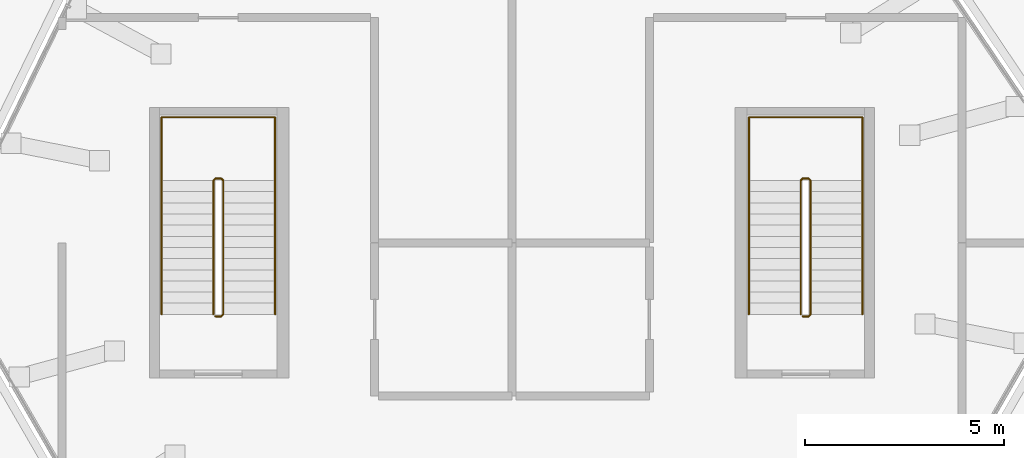
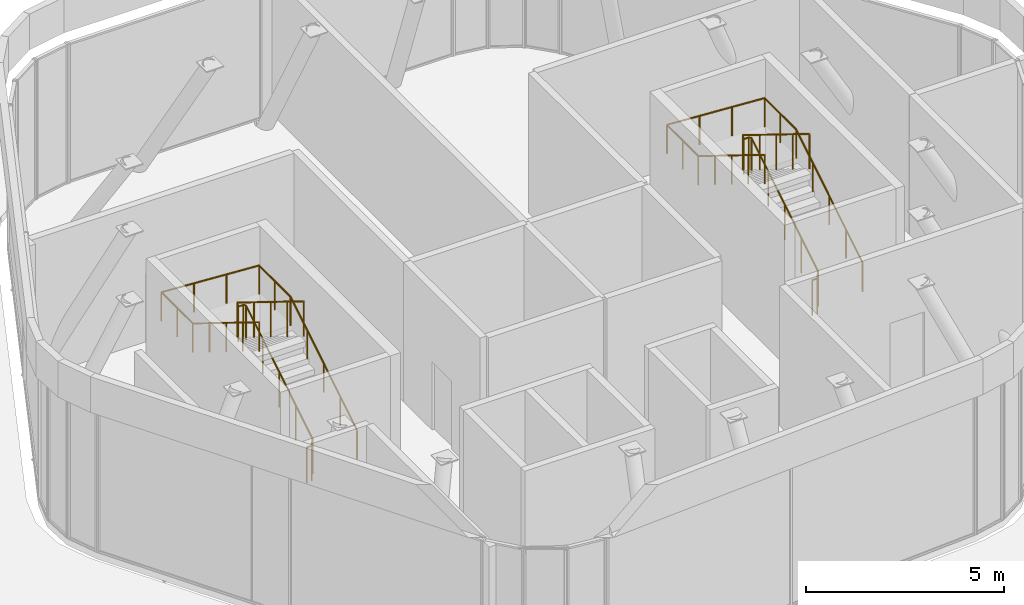
# One storey, part 9 of 9: 4 railings.
"""IFC4 building model written with IfcOpenShell, lengths in metres."""

from ifc_helpers import new_model, si_unit, direction, frame, origin, origin_2d, place, context, subcontext, project, spatial, circle, extrude, material, type_object, element, save


model = new_model("IFC4")

# Units and contexts
model_context = context("Model", 3, precision=1e-05, world=origin(), true_north=direction((0.0, 1.0)))
body_context = subcontext(model_context, "Body", "Model", "MODEL_VIEW")
ifc_project = project(units=[si_unit("LENGTHUNIT", "METRE"), si_unit("AREAUNIT", "SQUARE_METRE"), si_unit("VOLUMEUNIT", "CUBIC_METRE"), si_unit("PLANEANGLEUNIT", "RADIAN"), si_unit("MASSUNIT", "GRAM", prefix="KILO")], contexts=[model_context])

# Site, building, storey
site_placement = place(None, origin())
site = spatial("IfcSite", under=ifc_project, at=site_placement, CompositionType="ELEMENT")
building_placement = place(site_placement, origin())
building = spatial("IfcBuilding", under=site, at=building_placement, Name="Tarnside Tower", CompositionType="ELEMENT")
storey_placement = place(building_placement, frame((0.0, 0.0, 401.699951171875)))
storey = spatial("IfcBuildingStorey", under=building, at=storey_placement, Name="L95", CompositionType="ELEMENT", Elevation=401.699951171875)

# Railings
ifc_material = material(Name="Stainless steel", Category="steel")
railing_type_1 = type_object("IfcRailingType", Name="Stair guard 1100", PredefinedType="GUARDRAIL", material=ifc_material)
railing_1_placement = place(storey_placement, frame((7.300048828125, -1.85009765625, 0.0)))
element("IfcRailing", 1, at=railing_1_placement, inside=storey, type_object=railing_type_1, Name="L95 ST1 stair guard 1", PredefinedType="GUARDRAIL", context=body_context, shape_type="SweptSolid", body=[
    extrude(circle(Radius=0.02392578125, at=origin_2d()), frame((0.0, 0.0, 1.076171875), z_axis=(1.0, 0.0, 0.0), x_axis=(0.0, 1.0, 0.0)), (0.0, 0.0, 1.0), 0.14990234375),
    extrude(circle(Radius=0.02392578125, at=origin_2d()), frame((0.14990234375, 0.0, 1.076171875), z_axis=(0.267629722418, 0.267629722418, 0.925607186314), x_axis=(-0.707106781187, 0.707106781187, 0.0)), (0.0, 0.0, 1.0), 0.18701171875),
    extrude(circle(Radius=0.02392578125, at=origin_2d()), frame((0.199951171875, 0.050048828125, 1.2490234375), z_axis=(0.0, 0.850623216509, 0.525775754039), x_axis=(-1.0, 0.0, 0.0)), (0.0, 0.0, 1.0), 3.9501953125),
    extrude(circle(Radius=0.02392578125, at=origin_2d()), frame((0.199951171875, 3.41015625, 3.326171875), z_axis=(-0.707106781187, 0.707106781187, 0.0), x_axis=(-0.707106781187, -0.707106781187, 0.0)), (0.0, 0.0, 1.0), 0.07080078125),
    extrude(circle(Radius=0.02392578125, at=origin_2d()), frame((0.14990234375, 3.460205078125, 3.326171875), z_axis=(-1.0, 0.0, 0.0), x_axis=(0.0, -1.0, 0.0)), (0.0, 0.0, 1.0), 0.14990234375),
    extrude(circle(Radius=0.02392578125, at=origin_2d()), frame((0.0, 3.460205078125, 3.326171875), z_axis=(-0.267629722418, -0.267629722418, 0.925607186314), x_axis=(0.707106781187, -0.707106781187, 0.0)), (0.0, 0.0, 1.0), 0.18701171875),
    extrude(circle(Radius=0.02392578125, at=origin_2d()), frame((-0.050048828125, 3.41015625, 3.4990234375), z_axis=(0.0, -0.850623216509, 0.525775754039), x_axis=(1.0, 0.0, 0.0)), (0.0, 0.0, 1.0), 3.9501953125),
    extrude(circle(Radius=0.02099609375, at=origin_2d()), origin(), (0.0, 0.0, 1.0), 1.052001953125),
    extrude(circle(Radius=0.02099609375, at=origin_2d()), frame((0.14990234375, 0.0, 0.0)), (0.0, 0.0, 1.0), 1.052001953125),
    extrude(circle(Radius=0.02099609375, at=origin_2d()), frame((0.199951171875, 0.050048828125, 0.173095703125)), (0.0, 0.0, 1.0), 1.052001953125),
    extrude(circle(Radius=0.02099609375, at=origin_2d()), frame((0.199951171875, 0.89013671875, 0.6923828125)), (0.0, 0.0, 1.0), 1.052001953125),
    extrude(circle(Radius=0.02099609375, at=origin_2d()), frame((0.199951171875, 1.72998046875, 1.21142578125)), (0.0, 0.0, 1.0), 1.052001953125),
    extrude(circle(Radius=0.02099609375, at=origin_2d()), frame((0.199951171875, 2.570068359375, 1.730712890625)), (0.0, 0.0, 1.0), 1.052001953125),
    extrude(circle(Radius=0.02099609375, at=origin_2d()), frame((0.199951171875, 3.41015625, 2.25)), (0.0, 0.0, 1.0), 1.052001953125),
    extrude(circle(Radius=0.02099609375, at=origin_2d()), frame((0.14990234375, 3.460205078125, 2.25)), (0.0, 0.0, 1.0), 1.052001953125),
    extrude(circle(Radius=0.02099609375, at=origin_2d()), frame((0.0, 3.460205078125, 2.25)), (0.0, 0.0, 1.0), 1.052001953125),
    extrude(circle(Radius=0.02099609375, at=origin_2d()), frame((-0.050048828125, 3.41015625, 2.423095703125)), (0.0, 0.0, 1.0), 1.052001953125),
    extrude(circle(Radius=0.02099609375, at=origin_2d()), frame((-0.050048828125, 2.570068359375, 2.9423828125)), (0.0, 0.0, 1.0), 1.052001953125),
    extrude(circle(Radius=0.02099609375, at=origin_2d()), frame((-0.050048828125, 1.72998046875, 3.46142578125)), (0.0, 0.0, 1.0), 1.052001953125),
    extrude(circle(Radius=0.02099609375, at=origin_2d()), frame((-0.050048828125, 0.89013671875, 3.980712890625)), (0.0, 0.0, 1.0), 1.052001953125),
    extrude(circle(Radius=0.02099609375, at=origin_2d()), frame((-0.050048828125, 0.050048828125, 4.5)), (0.0, 0.0, 1.0), 1.052001953125),
])
railing_2_placement = place(storey_placement, frame((-7.449951171875, -1.85009765625, 0.0)))
element("IfcRailing", 2, at=railing_2_placement, inside=storey, type_object=railing_type_1, Name="L95 ST2 stair guard 1", PredefinedType="GUARDRAIL", context=body_context, shape_type="SweptSolid", body=[
    extrude(circle(Radius=0.02392578125, at=origin_2d()), frame((0.0, 0.0, 1.076171875), z_axis=(1.0, 0.0, 0.0), x_axis=(0.0, 1.0, 0.0)), (0.0, 0.0, 1.0), 0.14990234375),
    extrude(circle(Radius=0.02392578125, at=origin_2d()), frame((0.14990234375, 0.0, 1.076171875), z_axis=(0.267629722418, 0.267629722418, 0.925607186314), x_axis=(-0.707106781187, 0.707106781187, 0.0)), (0.0, 0.0, 1.0), 0.18701171875),
    extrude(circle(Radius=0.02392578125, at=origin_2d()), frame((0.199951171875, 0.050048828125, 1.2490234375), z_axis=(0.0, 0.850623216509, 0.525775754039), x_axis=(-1.0, 0.0, 0.0)), (0.0, 0.0, 1.0), 3.9501953125),
    extrude(circle(Radius=0.02392578125, at=origin_2d()), frame((0.199951171875, 3.41015625, 3.326171875), z_axis=(-0.707106781187, 0.707106781187, 0.0), x_axis=(-0.707106781187, -0.707106781187, 0.0)), (0.0, 0.0, 1.0), 0.07080078125),
    extrude(circle(Radius=0.02392578125, at=origin_2d()), frame((0.14990234375, 3.460205078125, 3.326171875), z_axis=(-1.0, 0.0, 0.0), x_axis=(0.0, -1.0, 0.0)), (0.0, 0.0, 1.0), 0.14990234375),
    extrude(circle(Radius=0.02392578125, at=origin_2d()), frame((0.0, 3.460205078125, 3.326171875), z_axis=(-0.267629722418, -0.267629722418, 0.925607186314), x_axis=(0.707106781187, -0.707106781187, 0.0)), (0.0, 0.0, 1.0), 0.18701171875),
    extrude(circle(Radius=0.02392578125, at=origin_2d()), frame((-0.050048828125, 3.41015625, 3.4990234375), z_axis=(0.0, -0.850623216509, 0.525775754039), x_axis=(1.0, 0.0, 0.0)), (0.0, 0.0, 1.0), 3.9501953125),
    extrude(circle(Radius=0.02099609375, at=origin_2d()), origin(), (0.0, 0.0, 1.0), 1.052001953125),
    extrude(circle(Radius=0.02099609375, at=origin_2d()), frame((0.14990234375, 0.0, 0.0)), (0.0, 0.0, 1.0), 1.052001953125),
    extrude(circle(Radius=0.02099609375, at=origin_2d()), frame((0.199951171875, 0.050048828125, 0.173095703125)), (0.0, 0.0, 1.0), 1.052001953125),
    extrude(circle(Radius=0.02099609375, at=origin_2d()), frame((0.199951171875, 0.89013671875, 0.6923828125)), (0.0, 0.0, 1.0), 1.052001953125),
    extrude(circle(Radius=0.02099609375, at=origin_2d()), frame((0.199951171875, 1.72998046875, 1.21142578125)), (0.0, 0.0, 1.0), 1.052001953125),
    extrude(circle(Radius=0.02099609375, at=origin_2d()), frame((0.199951171875, 2.570068359375, 1.730712890625)), (0.0, 0.0, 1.0), 1.052001953125),
    extrude(circle(Radius=0.02099609375, at=origin_2d()), frame((0.199951171875, 3.41015625, 2.25)), (0.0, 0.0, 1.0), 1.052001953125),
    extrude(circle(Radius=0.02099609375, at=origin_2d()), frame((0.14990234375, 3.460205078125, 2.25)), (0.0, 0.0, 1.0), 1.052001953125),
    extrude(circle(Radius=0.02099609375, at=origin_2d()), frame((0.0, 3.460205078125, 2.25)), (0.0, 0.0, 1.0), 1.052001953125),
    extrude(circle(Radius=0.02099609375, at=origin_2d()), frame((-0.050048828125, 3.41015625, 2.423095703125)), (0.0, 0.0, 1.0), 1.052001953125),
    extrude(circle(Radius=0.02099609375, at=origin_2d()), frame((-0.050048828125, 2.570068359375, 2.9423828125)), (0.0, 0.0, 1.0), 1.052001953125),
    extrude(circle(Radius=0.02099609375, at=origin_2d()), frame((-0.050048828125, 1.72998046875, 3.46142578125)), (0.0, 0.0, 1.0), 1.052001953125),
    extrude(circle(Radius=0.02099609375, at=origin_2d()), frame((-0.050048828125, 0.89013671875, 3.980712890625)), (0.0, 0.0, 1.0), 1.052001953125),
    extrude(circle(Radius=0.02099609375, at=origin_2d()), frame((-0.050048828125, 0.050048828125, 4.5)), (0.0, 0.0, 1.0), 1.052001953125),
])
railing_type_2 = type_object("IfcRailingType", Name="Stair handrail 900", PredefinedType="HANDRAIL", material=ifc_material)
railing_3_placement = place(storey_placement, frame((8.800048828125, -1.800048828125, 0.173095703125)))
element("IfcRailing", 3, at=railing_3_placement, inside=storey, type_object=railing_type_2, Name="L95 ST1 stair handrail 1", PredefinedType="HANDRAIL", context=body_context, shape_type="SweptSolid", body=[
    extrude(circle(Radius=0.02392578125, at=origin_2d()), frame((0.0, 0.0, 0.8857421875), z_axis=(0.0, 0.850623216509, 0.525775754039), x_axis=(-1.0, 0.0, 0.0)), (0.0, 0.0, 1.0), 3.9501953125),
    extrude(circle(Radius=0.02392578125, at=origin_2d()), frame((0.0, 3.360107421875, 2.962890625), z_axis=(0.0, 1.0, 0.0), x_axis=(-1.0, 0.0, 0.0)), (0.0, 0.0, 1.0), 1.58984375),
    extrude(circle(Radius=0.02392578125, at=origin_2d()), frame((0.0, 4.949951171875, 2.962890625), z_axis=(-0.9981608223, 0.0, 0.060621554138), x_axis=(0.0, -1.0, 0.0)), (0.0, 0.0, 1.0), 2.85546875),
    extrude(circle(Radius=0.02392578125, at=origin_2d()), frame((-2.85009765625, 4.949951171875, 3.1357421875), z_axis=(0.0, -1.0, 0.0), x_axis=(1.0, 0.0, 0.0)), (0.0, 0.0, 1.0), 1.58984375),
    extrude(circle(Radius=0.02392578125, at=origin_2d()), frame((-2.85009765625, 3.360107421875, 3.1357421875), z_axis=(0.0, -0.850623216509, 0.525775754039), x_axis=(1.0, 0.0, 0.0)), (0.0, 0.0, 1.0), 3.9501953125),
    extrude(circle(Radius=0.02099609375, at=origin_2d()), origin(), (0.0, 0.0, 1.0), 0.86181640625),
    extrude(circle(Radius=0.02099609375, at=origin_2d()), frame((0.0, 0.840087890625, 0.519287109375)), (0.0, 0.0, 1.0), 0.86181640625),
    extrude(circle(Radius=0.02099609375, at=origin_2d()), frame((0.0, 1.68017578125, 1.03857421875)), (0.0, 0.0, 1.0), 0.86181640625),
    extrude(circle(Radius=0.02099609375, at=origin_2d()), frame((0.0, 2.52001953125, 1.5576171875)), (0.0, 0.0, 1.0), 0.86181640625),
    extrude(circle(Radius=0.02099609375, at=origin_2d()), frame((0.0, 3.360107421875, 2.076904296875)), (0.0, 0.0, 1.0), 0.86181640625),
    extrude(circle(Radius=0.02099609375, at=origin_2d()), frame((0.0, 4.155029296875, 2.076904296875)), (0.0, 0.0, 1.0), 0.86181640625),
    extrude(circle(Radius=0.02099609375, at=origin_2d()), frame((0.0, 4.949951171875, 2.076904296875)), (0.0, 0.0, 1.0), 0.86181640625),
    extrude(circle(Radius=0.02099609375, at=origin_2d()), frame((-0.949951171875, 4.949951171875, 2.134521484375)), (0.0, 0.0, 1.0), 0.86181640625),
    extrude(circle(Radius=0.02099609375, at=origin_2d()), frame((-1.900146484375, 4.949951171875, 2.1923828125)), (0.0, 0.0, 1.0), 0.86181640625),
    extrude(circle(Radius=0.02099609375, at=origin_2d()), frame((-2.85009765625, 4.949951171875, 2.25)), (0.0, 0.0, 1.0), 0.86181640625),
    extrude(circle(Radius=0.02099609375, at=origin_2d()), frame((-2.85009765625, 4.155029296875, 2.25)), (0.0, 0.0, 1.0), 0.86181640625),
    extrude(circle(Radius=0.02099609375, at=origin_2d()), frame((-2.85009765625, 3.360107421875, 2.25)), (0.0, 0.0, 1.0), 0.86181640625),
    extrude(circle(Radius=0.02099609375, at=origin_2d()), frame((-2.85009765625, 2.52001953125, 2.769287109375)), (0.0, 0.0, 1.0), 0.86181640625),
    extrude(circle(Radius=0.02099609375, at=origin_2d()), frame((-2.85009765625, 1.68017578125, 3.28857421875)), (0.0, 0.0, 1.0), 0.86181640625),
    extrude(circle(Radius=0.02099609375, at=origin_2d()), frame((-2.85009765625, 0.840087890625, 3.8076171875)), (0.0, 0.0, 1.0), 0.86181640625),
    extrude(circle(Radius=0.02099609375, at=origin_2d()), frame((-2.85009765625, 0.0, 4.326904296875)), (0.0, 0.0, 1.0), 0.86181640625),
])
railing_4_placement = place(storey_placement, frame((-5.949951171875, -1.800048828125, 0.173095703125)))
element("IfcRailing", 4, at=railing_4_placement, inside=storey, type_object=railing_type_2, Name="L95 ST2 stair handrail 1", PredefinedType="HANDRAIL", context=body_context, shape_type="SweptSolid", body=[
    extrude(circle(Radius=0.02392578125, at=origin_2d()), frame((0.0, 0.0, 0.8857421875), z_axis=(0.0, 0.850623216509, 0.525775754039), x_axis=(-1.0, 0.0, 0.0)), (0.0, 0.0, 1.0), 3.9501953125),
    extrude(circle(Radius=0.02392578125, at=origin_2d()), frame((0.0, 3.360107421875, 2.962890625), z_axis=(0.0, 1.0, 0.0), x_axis=(-1.0, 0.0, 0.0)), (0.0, 0.0, 1.0), 1.58984375),
    extrude(circle(Radius=0.02392578125, at=origin_2d()), frame((0.0, 4.949951171875, 2.962890625), z_axis=(-0.9981608223, 0.0, 0.060621554138), x_axis=(0.0, -1.0, 0.0)), (0.0, 0.0, 1.0), 2.85546875),
    extrude(circle(Radius=0.02392578125, at=origin_2d()), frame((-2.85009765625, 4.949951171875, 3.1357421875), z_axis=(0.0, -1.0, 0.0), x_axis=(1.0, 0.0, 0.0)), (0.0, 0.0, 1.0), 1.58984375),
    extrude(circle(Radius=0.02392578125, at=origin_2d()), frame((-2.85009765625, 3.360107421875, 3.1357421875), z_axis=(0.0, -0.850623216509, 0.525775754039), x_axis=(1.0, 0.0, 0.0)), (0.0, 0.0, 1.0), 3.9501953125),
    extrude(circle(Radius=0.02099609375, at=origin_2d()), origin(), (0.0, 0.0, 1.0), 0.86181640625),
    extrude(circle(Radius=0.02099609375, at=origin_2d()), frame((0.0, 0.840087890625, 0.519287109375)), (0.0, 0.0, 1.0), 0.86181640625),
    extrude(circle(Radius=0.02099609375, at=origin_2d()), frame((0.0, 1.68017578125, 1.03857421875)), (0.0, 0.0, 1.0), 0.86181640625),
    extrude(circle(Radius=0.02099609375, at=origin_2d()), frame((0.0, 2.52001953125, 1.5576171875)), (0.0, 0.0, 1.0), 0.86181640625),
    extrude(circle(Radius=0.02099609375, at=origin_2d()), frame((0.0, 3.360107421875, 2.076904296875)), (0.0, 0.0, 1.0), 0.86181640625),
    extrude(circle(Radius=0.02099609375, at=origin_2d()), frame((0.0, 4.155029296875, 2.076904296875)), (0.0, 0.0, 1.0), 0.86181640625),
    extrude(circle(Radius=0.02099609375, at=origin_2d()), frame((0.0, 4.949951171875, 2.076904296875)), (0.0, 0.0, 1.0), 0.86181640625),
    extrude(circle(Radius=0.02099609375, at=origin_2d()), frame((-0.949951171875, 4.949951171875, 2.134521484375)), (0.0, 0.0, 1.0), 0.86181640625),
    extrude(circle(Radius=0.02099609375, at=origin_2d()), frame((-1.900146484375, 4.949951171875, 2.1923828125)), (0.0, 0.0, 1.0), 0.86181640625),
    extrude(circle(Radius=0.02099609375, at=origin_2d()), frame((-2.85009765625, 4.949951171875, 2.25)), (0.0, 0.0, 1.0), 0.86181640625),
    extrude(circle(Radius=0.02099609375, at=origin_2d()), frame((-2.85009765625, 4.155029296875, 2.25)), (0.0, 0.0, 1.0), 0.86181640625),
    extrude(circle(Radius=0.02099609375, at=origin_2d()), frame((-2.85009765625, 3.360107421875, 2.25)), (0.0, 0.0, 1.0), 0.86181640625),
    extrude(circle(Radius=0.02099609375, at=origin_2d()), frame((-2.85009765625, 2.52001953125, 2.769287109375)), (0.0, 0.0, 1.0), 0.86181640625),
    extrude(circle(Radius=0.02099609375, at=origin_2d()), frame((-2.85009765625, 1.68017578125, 3.28857421875)), (0.0, 0.0, 1.0), 0.86181640625),
    extrude(circle(Radius=0.02099609375, at=origin_2d()), frame((-2.85009765625, 0.840087890625, 3.8076171875)), (0.0, 0.0, 1.0), 0.86181640625),
    extrude(circle(Radius=0.02099609375, at=origin_2d()), frame((-2.85009765625, 0.0, 4.326904296875)), (0.0, 0.0, 1.0), 0.86181640625),
])

save(model, "model.ifc")
